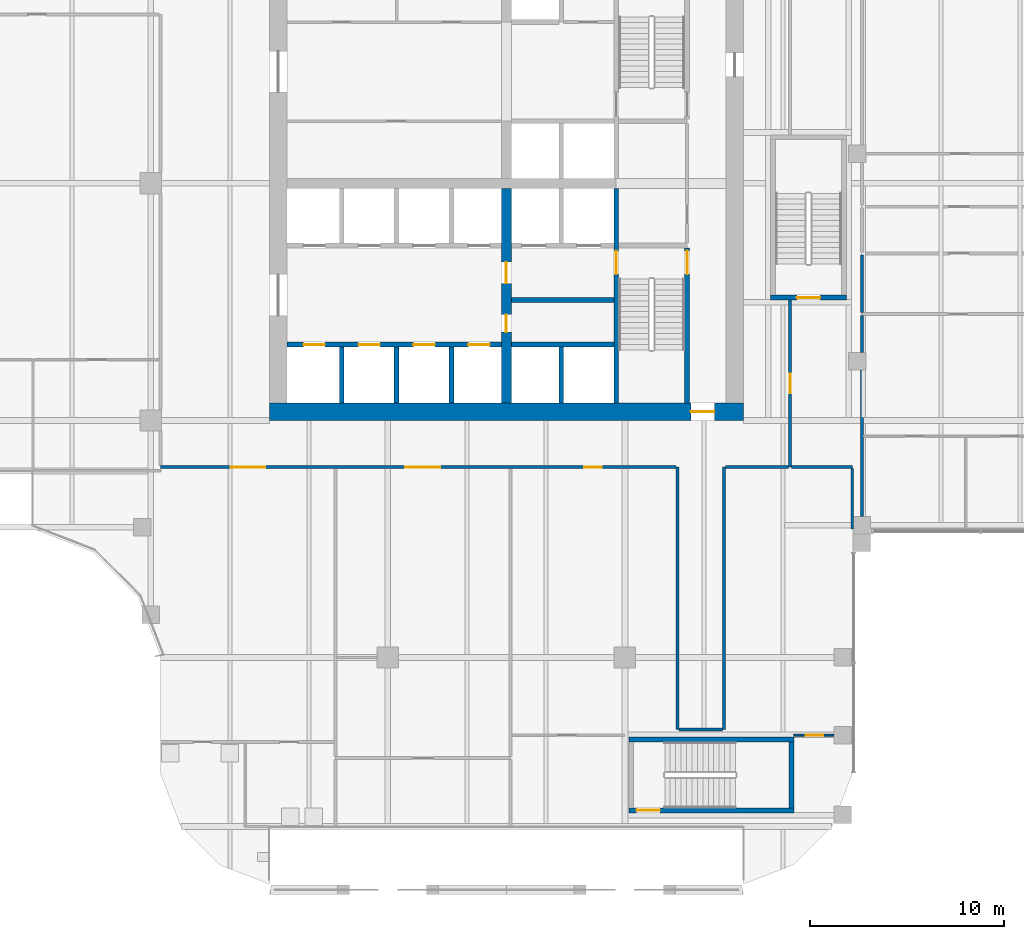
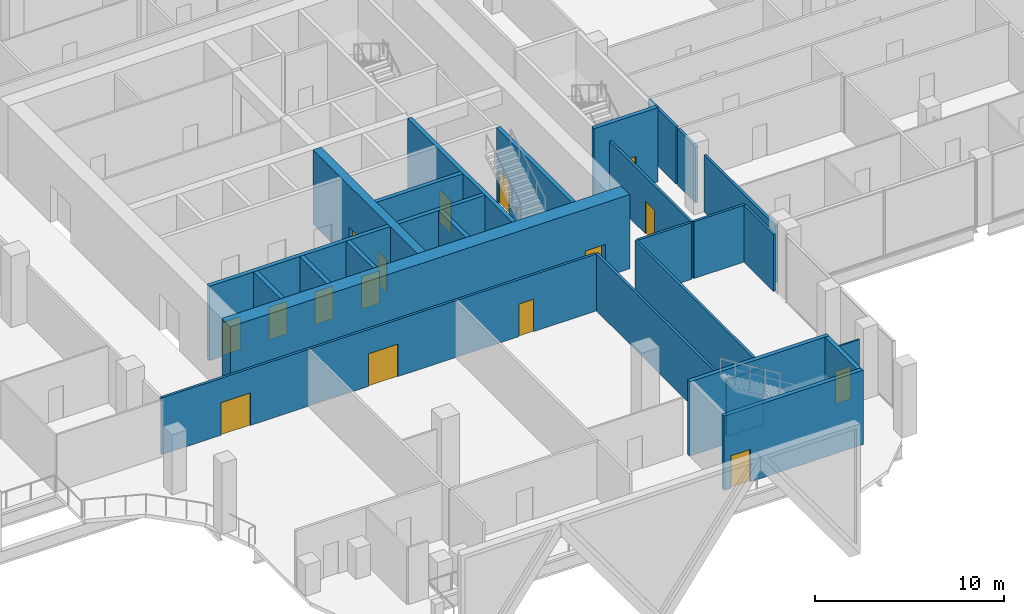
# One storey, part 22 of 33: 27 walls, 16 doors, 16 openings.
"""IFC4 building model written with IfcOpenShell, lengths in metres."""

from ifc_helpers import new_model, si_unit, direction, frame, frame_2d, origin, place, context, subcontext, project, spatial, rectangle, extrude, source, transform, mapped, material, layer, layer_set, type_object, element, fill, save


model = new_model("IFC4")

# Units and contexts
model_context = context("Model", 3, precision=1e-05, world=origin(), true_north=direction((0.0, 1.0)))
body_context = subcontext(model_context, "Body", "Model", "MODEL_VIEW")
ifc_project = project(units=[si_unit("LENGTHUNIT", "METRE"), si_unit("AREAUNIT", "SQUARE_METRE"), si_unit("VOLUMEUNIT", "CUBIC_METRE"), si_unit("PLANEANGLEUNIT", "RADIAN"), si_unit("MASSUNIT", "GRAM", prefix="KILO")], contexts=[model_context])

# Site, building, storey
site_placement = place(None, origin())
site = spatial("IfcSite", under=ifc_project, at=site_placement, CompositionType="ELEMENT")
building_placement = place(site_placement, origin())
building = spatial("IfcBuilding", under=site, at=building_placement, Name="Tessera Gate Towers", CompositionType="ELEMENT")
storey_placement = place(building_placement, frame((0.0, 0.0, 12.0)))
storey = spatial("IfcBuildingStorey", under=building, at=storey_placement, Name="L02", CompositionType="ELEMENT", Elevation=12.0)

# Wall, opening, door
ifc_material_1 = material(Name="Concrete C40/50", Category="concrete")
ifc_layer_1 = layer(ifc_material_1, 0.25)
ifc_layer_set_1 = layer_set([ifc_layer_1], Name="CORE ENCLOSURE WALL 250")
wall_type_1 = type_object("IfcWallType", Name="CORE ENCLOSURE WALL 250", PredefinedType="SOLIDWALL", material=ifc_layer_set_1)
wall_1_placement = place(storey_placement, frame((48.35009765625, 36.35009765625, 0.0), z_axis=(0.0, 0.0, 1.0), x_axis=(0.0, -1.0, 0.0)))
wall_1 = element("IfcWall", 1, at=wall_1_placement, inside=storey, type_object=wall_type_1, Name="L02 shaft and stair enclosure wall", PredefinedType="SOLIDWALL", context=body_context, shape_type="SweptSolid", body=[
    extrude(rectangle(XDim=11.050048828125, YDim=0.25, at=frame_2d((5.52490234375, 0.0))), origin(), (0.0, 0.0, 1.0), 4.800048828125),
])
shared_shape_1 = source(origin(), body_context, "Body", "SweptSolid", [
    extrude(rectangle(XDim=1.199951171875, YDim=2.10009765625, at=frame_2d((0.60009765625, 1.050048828125))), frame((0.0, 0.135009765625, 0.0), z_axis=(0.0, -1.0, 0.0), x_axis=(1.0, 0.0, 0.0)), (0.0, 0.0, 1.0), 0.27001953125),
])
opening_1_placement = place(wall_1_placement, frame((3.22509765625, 0.0, 0.0)))
opening_1 = element("IfcOpeningElement", 2, at=opening_1_placement, cuts=wall_1, Name="Opening SD-ST1-1", PredefinedType="OPENING", context=body_context, shape_type="MappedRepresentation", body=[
    mapped(shared_shape_1, transform((0.0, 0.0, 0.0), scale=1.0)),
])
ifc_material_2 = material(Name="Hollow steel fire door", Category="steel")
door_type_1 = type_object("IfcDoorType", Name="CORE DOOR SD 1200x2100", OperationType="NOTDEFINED", PredefinedType="DOOR", material=ifc_material_2)
shared_shape_2 = source(origin(), body_context, "Body", "SweptSolid", [
    extrude(rectangle(XDim=1.199951171875, YDim=2.10009765625, at=frame_2d((0.60009765625, 1.050048828125))), frame((0.0, 0.02490234375, 0.0), z_axis=(0.0, -1.0, 0.0), x_axis=(1.0, 0.0, 0.0)), (0.0, 0.0, 1.0), 0.050048828125),
])
door_1_placement = place(opening_1_placement, origin())
door_1 = element("IfcDoor", 3, at=door_1_placement, inside=storey, type_object=door_type_1, Name="Stair door", OperationType="SINGLE_SWING_LEFT", OverallHeight=2.10009765625, OverallWidth=1.199951171875, PredefinedType="DOOR", context=body_context, shape_type="MappedRepresentation", body=[
    mapped(shared_shape_2, transform((0.0, 0.0, 0.0), scale=1.0)),
])
fill(opening_1, door_1)

# Wall, openings, doors
wall_2_placement = place(storey_placement, frame((31.39990234375, 28.300048828125, 0.0), z_axis=(0.0, 0.0, 1.0), x_axis=(1.0, 0.0, 0.0)))
wall_2 = element("IfcWall", 4, at=wall_2_placement, inside=storey, type_object=wall_type_1, Name="L02 shaft and stair enclosure wall", PredefinedType="SOLIDWALL", context=body_context, shape_type="SweptSolid", body=[
    extrude(rectangle(XDim=11.050048828125, YDim=0.25, at=frame_2d((5.52490234375, 0.0))), origin(), (0.0, 0.0, 1.0), 4.800048828125),
])
shared_shape_3 = source(origin(), body_context, "Body", "SweptSolid", [
    extrude(rectangle(XDim=1.10009765625, YDim=2.10009765625, at=frame_2d((0.550048828125, 1.050048828125))), frame((0.0, 0.135009765625, 0.0), z_axis=(0.0, -1.0, 0.0), x_axis=(1.0, 0.0, 0.0)), (0.0, 0.0, 1.0), 0.27001953125),
])
opening_2_placement = place(wall_2_placement, frame((0.862548828125, 0.0, 0.0)))
opening_2 = element("IfcOpeningElement", 5, at=opening_2_placement, cuts=wall_2, Name="Opening LD-LR1", PredefinedType="OPENING", context=body_context, shape_type="MappedRepresentation", body=[
    mapped(shared_shape_3, transform((0.0, 0.0, 0.0), scale=1.0)),
])
opening_3_placement = place(wall_2_placement, frame((3.6875, 0.0, 0.0)))
opening_3 = element("IfcOpeningElement", 6, at=opening_3_placement, cuts=wall_2, Name="Opening LD-LR2", PredefinedType="OPENING", context=body_context, shape_type="MappedRepresentation", body=[
    mapped(shared_shape_3, transform((0.0, 0.0, 0.0), scale=1.0)),
])
opening_4_placement = place(wall_2_placement, frame((6.512451171875, 0.0, 0.0)))
opening_4 = element("IfcOpeningElement", 7, at=opening_4_placement, cuts=wall_2, Name="Opening LD-LR3", PredefinedType="OPENING", context=body_context, shape_type="MappedRepresentation", body=[
    mapped(shared_shape_3, transform((0.0, 0.0, 0.0), scale=1.0)),
])
opening_5_placement = place(wall_2_placement, frame((9.33740234375, 0.0, 0.0)))
opening_5 = element("IfcOpeningElement", 8, at=opening_5_placement, cuts=wall_2, Name="Opening LD-LR4", PredefinedType="OPENING", context=body_context, shape_type="MappedRepresentation", body=[
    mapped(shared_shape_3, transform((0.0, 0.0, 0.0), scale=1.0)),
])
ifc_material_3 = material(Name="Stainless steel", Category="steel")
door_type_2 = type_object("IfcDoorType", Name="CORE DOOR LD 1100x2100", OperationType="DOUBLE_DOOR_SLIDING", PredefinedType="DOOR", material=ifc_material_3)
shared_shape_4 = source(origin(), body_context, "Body", "SweptSolid", [
    extrude(rectangle(XDim=1.10009765625, YDim=2.10009765625, at=frame_2d((0.550048828125, 1.050048828125))), frame((0.0, 0.02490234375, 0.0), z_axis=(0.0, -1.0, 0.0), x_axis=(1.0, 0.0, 0.0)), (0.0, 0.0, 1.0), 0.050048828125),
])
door_2_placement = place(opening_2_placement, origin())
door_2 = element("IfcDoor", 9, at=door_2_placement, inside=storey, type_object=door_type_2, Name="Landing door LR1 L02", OperationType="DOUBLE_DOOR_SLIDING", OverallHeight=2.10009765625, OverallWidth=1.10009765625, PredefinedType="DOOR", context=body_context, shape_type="MappedRepresentation", body=[
    mapped(shared_shape_4, transform((0.0, 0.0, 0.0), scale=1.0)),
])
fill(opening_2, door_2)
door_3_placement = place(opening_3_placement, origin())
door_3 = element("IfcDoor", 10, at=door_3_placement, inside=storey, type_object=door_type_2, Name="Landing door LR2 L02", OperationType="DOUBLE_DOOR_SLIDING", OverallHeight=2.10009765625, OverallWidth=1.10009765625, PredefinedType="DOOR", context=body_context, shape_type="MappedRepresentation", body=[
    mapped(shared_shape_4, transform((0.0, 0.0, 0.0), scale=1.0)),
])
fill(opening_3, door_3)
door_4_placement = place(opening_4_placement, origin())
door_4 = element("IfcDoor", 11, at=door_4_placement, inside=storey, type_object=door_type_2, Name="Landing door LR3 L02", OperationType="DOUBLE_DOOR_SLIDING", OverallHeight=2.10009765625, OverallWidth=1.10009765625, PredefinedType="DOOR", context=body_context, shape_type="MappedRepresentation", body=[
    mapped(shared_shape_4, transform((0.0, 0.0, 0.0), scale=1.0)),
])
fill(opening_4, door_4)
door_5_placement = place(opening_5_placement, origin())
door_5 = element("IfcDoor", 12, at=door_5_placement, inside=storey, type_object=door_type_2, Name="Landing door LR4 L02", OperationType="DOUBLE_DOOR_SLIDING", OverallHeight=2.10009765625, OverallWidth=1.10009765625, PredefinedType="DOOR", context=body_context, shape_type="MappedRepresentation", body=[
    mapped(shared_shape_4, transform((0.0, 0.0, 0.0), scale=1.0)),
])
fill(opening_5, door_5)

# Wall
wall_3_placement = place(storey_placement, frame((42.949951171875, 28.300048828125, 0.0), z_axis=(0.0, 0.0, 1.0), x_axis=(1.0, 0.0, 0.0)))
element("IfcWall", 13, at=wall_3_placement, inside=storey, type_object=wall_type_1, Name="L02 shaft and stair enclosure wall", PredefinedType="SOLIDWALL", context=body_context, shape_type="SweptSolid", body=[
    extrude(rectangle(XDim=5.275146484375, YDim=0.25, at=frame_2d((2.6376953125, 0.0))), origin(), (0.0, 0.0, 1.0), 4.800048828125),
])

# Wall, opening, door
wall_4_placement = place(storey_placement, frame((52.0, 25.300048828125, 0.0), z_axis=(0.0, 0.0, 1.0), x_axis=(0.0, 1.0, 0.0)))
wall_4 = element("IfcWall", 14, at=wall_4_placement, inside=storey, type_object=wall_type_1, Name="L02 shaft and stair enclosure wall", PredefinedType="SOLIDWALL", context=body_context, shape_type="SweptSolid", body=[
    extrude(rectangle(XDim=7.974853515625, YDim=0.25, at=frame_2d((3.9873046875, 0.0))), origin(), (0.0, 0.0, 1.0), 4.800048828125),
])
opening_6_placement = place(wall_4_placement, frame((6.625, 0.0, 0.0)))
opening_6 = element("IfcOpeningElement", 15, at=opening_6_placement, cuts=wall_4, Name="Opening SD-ST1-2", PredefinedType="OPENING", context=body_context, shape_type="MappedRepresentation", body=[
    mapped(shared_shape_1, transform((0.0, 0.0, 0.0), scale=1.0)),
])
door_6_placement = place(opening_6_placement, origin())
door_6 = element("IfcDoor", 16, at=door_6_placement, inside=storey, type_object=door_type_1, Name="Stair door", OperationType="SINGLE_SWING_RIGHT", OverallHeight=2.10009765625, OverallWidth=1.199951171875, PredefinedType="DOOR", context=body_context, shape_type="MappedRepresentation", body=[
    mapped(shared_shape_2, transform((0.0, 0.0, 0.0), scale=1.0)),
])
fill(opening_6, door_6)

# Walls
wall_5_placement = place(storey_placement, frame((42.949951171875, 30.60009765625, 0.0), z_axis=(0.0, 0.0, 1.0), x_axis=(1.0, 0.0, 0.0)))
element("IfcWall", 17, at=wall_5_placement, inside=storey, type_object=wall_type_1, Name="L02 shaft and stair enclosure wall", PredefinedType="SOLIDWALL", context=body_context, shape_type="SweptSolid", body=[
    extrude(rectangle(XDim=5.275146484375, YDim=0.25, at=frame_2d((2.6376953125, 0.0))), origin(), (0.0, 0.0, 1.0), 4.800048828125),
])
for number, where, z_axis, x_axis, name in (
    (18, (34.22509765625, 25.300048828125, 0.0), (0.0, 0.0, 1.0), (0.0, 1.0, 0.0), "L02 shaft and stair enclosure wall"),
    (19, (37.050048828125, 25.300048828125, 0.0), (0.0, 0.0, 1.0), (0.0, 1.0, 0.0), "L02 shaft and stair enclosure wall"),
    (20, (39.875, 25.300048828125, 0.0), (0.0, 0.0, 1.0), (0.0, 1.0, 0.0), "L02 shaft and stair enclosure wall"),
    (21, (45.52490234375, 25.300048828125, 0.0), (0.0, 0.0, 1.0), (0.0, 1.0, 0.0), "L02 shaft and stair enclosure wall"),
):
    element("IfcWall", number, at=place(storey_placement, frame(where, z_axis=z_axis, x_axis=x_axis)), inside=storey, type_object=wall_type_1, Name=name, PredefinedType="SOLIDWALL", context=body_context, shape_type="SweptSolid", body=[
        extrude(rectangle(XDim=2.875, YDim=0.25, at=frame_2d((1.4375, 0.0))), origin(), (0.0, 0.0, 1.0), 4.800048828125),
    ])

# Wall, opening, door
wall_6_placement = place(storey_placement, frame((57.5, 4.324951171875, 0.0), z_axis=(0.0, 0.0, 1.0), x_axis=(-1.0, 0.0, 0.0)))
wall_6 = element("IfcWall", 22, at=wall_6_placement, inside=storey, type_object=wall_type_1, Name="L02 ST4 enclosure wall", PredefinedType="SOLIDWALL", context=body_context, shape_type="SweptSolid", body=[
    extrude(rectangle(XDim=8.5, YDim=0.25, at=frame_2d((4.25, 0.0))), origin(), (0.0, 0.0, 1.0), 4.800048828125),
])
opening_7_placement = place(wall_6_placement, frame((6.89990234375, 0.0, 0.0)))
opening_7 = element("IfcOpeningElement", 23, at=opening_7_placement, cuts=wall_6, Name="Opening SD-ST4-1", PredefinedType="OPENING", context=body_context, shape_type="MappedRepresentation", body=[
    mapped(shared_shape_1, transform((0.0, 0.0, 0.0), scale=1.0)),
])
door_7_placement = place(opening_7_placement, origin())
door_7 = element("IfcDoor", 24, at=door_7_placement, inside=storey, type_object=door_type_1, Name="Stair door", OperationType="SINGLE_SWING_RIGHT", OverallHeight=2.10009765625, OverallWidth=1.199951171875, PredefinedType="DOOR", context=body_context, shape_type="MappedRepresentation", body=[
    mapped(shared_shape_2, transform((0.0, 0.0, 0.0), scale=1.0)),
])
fill(opening_7, door_7)

# Walls
wall_7_placement = place(storey_placement, frame((49.0, 7.97509765625, 0.0), z_axis=(0.0, 0.0, 1.0), x_axis=(1.0, 0.0, 0.0)))
element("IfcWall", 25, at=wall_7_placement, inside=storey, type_object=wall_type_1, Name="L02 ST4 enclosure wall", PredefinedType="SOLIDWALL", context=body_context, shape_type="SweptSolid", body=[
    extrude(rectangle(XDim=8.5, YDim=0.25, at=frame_2d((4.25, 0.0))), origin(), (0.0, 0.0, 1.0), 4.800048828125),
])
wall_8_placement = place(storey_placement, frame((57.375, 7.85009765625, 0.0), z_axis=(0.0, 0.0, 1.0), x_axis=(0.0, -1.0, 0.0)))
element("IfcWall", 26, at=wall_8_placement, inside=storey, type_object=wall_type_1, Name="L02 ST4 enclosure wall", PredefinedType="SOLIDWALL", context=body_context, shape_type="SweptSolid", body=[
    extrude(rectangle(XDim=3.400146484375, YDim=0.25, at=frame_2d((1.7001953125, 0.0))), origin(), (0.0, 0.0, 1.0), 4.800048828125),
])

# Wall, opening, door
wall_9_placement = place(storey_placement, frame((60.199951171875, 30.72509765625, 0.0), z_axis=(0.0, 0.0, 1.0), x_axis=(-1.0, 0.0, 0.0)))
wall_9 = element("IfcWall", 27, at=wall_9_placement, inside=storey, type_object=wall_type_1, Name="L02 ST5 enclosure wall", PredefinedType="SOLIDWALL", context=body_context, shape_type="SweptSolid", body=[
    extrude(rectangle(XDim=3.89990234375, YDim=0.25, at=frame_2d((1.949951171875, 0.0))), origin(), (0.0, 0.0, 1.0), 4.800048828125),
])
opening_8_placement = place(wall_9_placement, frame((1.35009765625, 0.0, 0.0)))
opening_8 = element("IfcOpeningElement", 28, at=opening_8_placement, cuts=wall_9, Name="Opening SD-ST5-1", PredefinedType="OPENING", context=body_context, shape_type="MappedRepresentation", body=[
    mapped(shared_shape_1, transform((0.0, 0.0, 0.0), scale=1.0)),
])
door_8_placement = place(opening_8_placement, origin())
door_8 = element("IfcDoor", 29, at=door_8_placement, inside=storey, type_object=door_type_1, Name="Stair door", OperationType="SINGLE_SWING_LEFT", OverallHeight=2.10009765625, OverallWidth=1.199951171875, PredefinedType="DOOR", context=body_context, shape_type="MappedRepresentation", body=[
    mapped(shared_shape_2, transform((0.0, 0.0, 0.0), scale=1.0)),
])
fill(opening_8, door_8)

ifc_material_4 = material(Name="Concrete C70/85", Category="concrete")
ifc_layer_2 = layer(ifc_material_4, 0.89990234375)
ifc_layer_set_2 = layer_set([ifc_layer_2], Name="CORE SHEAR WALL 900 C70/85")
wall_type_2 = type_object("IfcWallType", Name="CORE SHEAR WALL 900 C70/85", PredefinedType="SHEAR", material=ifc_layer_set_2)
wall_10_placement = place(storey_placement, frame((54.89990234375, 24.85009765625, 0.0), z_axis=(0.0, 0.0, 1.0), x_axis=(-1.0, 0.0, 0.0)))
wall_10 = element("IfcWall", 30, at=wall_10_placement, inside=storey, type_object=wall_type_2, Name="Core wall S L02", PredefinedType="SHEAR", context=body_context, shape_type="SweptSolid", body=[
    extrude(rectangle(XDim=24.39990234375, YDim=0.89990234375, at=frame_2d((12.199951171875, 0.0))), origin(), (0.0, 0.0, 1.0), 4.800048828125),
])
shared_shape_5 = source(origin(), body_context, "Body", "SweptSolid", [
    extrude(rectangle(XDim=1.199951171875, YDim=2.10009765625, at=frame_2d((0.60009765625, 1.050048828125))), frame((0.0, 0.4599609375, 0.0), z_axis=(0.0, -1.0, 0.0), x_axis=(1.0, 0.0, 0.0)), (0.0, 0.0, 1.0), 0.919921875),
])
opening_9_placement = place(wall_10_placement, frame((1.5, 0.0, 0.0)))
opening_9 = element("IfcOpeningElement", 31, at=opening_9_placement, cuts=wall_10, Name="Opening ED-T1-04-01", PredefinedType="OPENING", context=body_context, shape_type="MappedRepresentation", body=[
    mapped(shared_shape_5, transform((0.0, 0.0, 0.0), scale=1.0)),
])
ifc_material_5 = material(Name="Hollow steel fire door", Category="steel")
door_type_3 = type_object("IfcDoorType", Name="CORE DOOR ED 1200x2100", OperationType="NOTDEFINED", PredefinedType="DOOR", material=ifc_material_5)
door_9_placement = place(opening_9_placement, origin())
door_9 = element("IfcDoor", 32, at=door_9_placement, inside=storey, type_object=door_type_3, Name="Core exit door", OperationType="SINGLE_SWING_LEFT", OverallHeight=2.10009765625, OverallWidth=1.199951171875, PredefinedType="DOOR", context=body_context, shape_type="MappedRepresentation", body=[
    mapped(shared_shape_2, transform((0.0, 0.0, 0.0), scale=1.0)),
])
fill(opening_9, door_9)

# Wall, openings, doors
ifc_material_6 = material(Name="Concrete C70/85", Category="concrete")
ifc_layer_3 = layer(ifc_material_6, 0.5)
ifc_layer_set_3 = layer_set([ifc_layer_3], Name="CORE SPINE WALL 500 C70/85")
wall_type_3 = type_object("IfcWallType", Name="CORE SPINE WALL 500 C70/85", PredefinedType="SHEAR", material=ifc_layer_set_3)
wall_11_placement = place(storey_placement, frame((42.699951171875, 36.35009765625, 0.0), z_axis=(0.0, 0.0, 1.0), x_axis=(0.0, -1.0, 0.0)))
wall_11 = element("IfcWall", 33, at=wall_11_placement, inside=storey, type_object=wall_type_3, Name="Core wall spine L02", PredefinedType="SHEAR", context=body_context, shape_type="SweptSolid", body=[
    extrude(rectangle(XDim=11.050048828125, YDim=0.5, at=frame_2d((5.52490234375, 0.0))), origin(), (0.0, 0.0, 1.0), 4.800048828125),
])
shared_shape_6 = source(origin(), body_context, "Body", "SweptSolid", [
    extrude(rectangle(XDim=0.89990234375, YDim=2.10009765625, at=frame_2d((0.449951171875, 1.050048828125))), frame((0.0, 0.260009765625, 0.0), z_axis=(0.0, -1.0, 0.0), x_axis=(1.0, 0.0, 0.0)), (0.0, 0.0, 1.0), 0.52001953125),
])
opening_10_placement = place(wall_11_placement, frame((6.5, 0.0, 0.0)))
opening_10 = element("IfcOpeningElement", 34, at=opening_10_placement, cuts=wall_11, Name="Opening RD-T1-04-05", PredefinedType="OPENING", context=body_context, shape_type="MappedRepresentation", body=[
    mapped(shared_shape_6, transform((0.0, 0.0, 0.0), scale=1.0)),
])
shared_shape_7 = source(origin(), body_context, "Body", "SweptSolid", [
    extrude(rectangle(XDim=1.10009765625, YDim=2.10009765625, at=frame_2d((0.550048828125, 1.050048828125))), frame((0.0, 0.260009765625, 0.0), z_axis=(0.0, -1.0, 0.0), x_axis=(1.0, 0.0, 0.0)), (0.0, 0.0, 1.0), 0.52001953125),
])
opening_11_placement = place(wall_11_placement, frame((3.800048828125, 0.0, 0.0)))
opening_11 = element("IfcOpeningElement", 35, at=opening_11_placement, cuts=wall_11, Name="Opening FD-T1-04-06", PredefinedType="OPENING", context=body_context, shape_type="MappedRepresentation", body=[
    mapped(shared_shape_7, transform((0.0, 0.0, 0.0), scale=1.0)),
])
ifc_material_7 = material(Name="Hollow steel fire door", Category="steel")
door_type_4 = type_object("IfcDoorType", Name="CORE DOOR RD 900x2100", OperationType="NOTDEFINED", PredefinedType="DOOR", material=ifc_material_7)
shared_shape_8 = source(origin(), body_context, "Body", "SweptSolid", [
    extrude(rectangle(XDim=0.89990234375, YDim=2.10009765625, at=frame_2d((0.449951171875, 1.050048828125))), frame((0.0, 0.02490234375, 0.0), z_axis=(0.0, -1.0, 0.0), x_axis=(1.0, 0.0, 0.0)), (0.0, 0.0, 1.0), 0.050048828125),
])
door_10_placement = place(opening_10_placement, origin())
door_10 = element("IfcDoor", 36, at=door_10_placement, inside=storey, type_object=door_type_4, Name="Core room door", OperationType="SINGLE_SWING_RIGHT", OverallHeight=2.10009765625, OverallWidth=0.89990234375, PredefinedType="DOOR", context=body_context, shape_type="MappedRepresentation", body=[
    mapped(shared_shape_8, transform((0.0, 0.0, 0.0), scale=1.0)),
])
fill(opening_10, door_10)
ifc_material_8 = material(Name="Hollow steel fire door", Category="steel")
door_type_5 = type_object("IfcDoorType", Name="CORE DOOR FD 1100x2100", OperationType="NOTDEFINED", PredefinedType="DOOR", material=ifc_material_8)
door_11_placement = place(opening_11_placement, origin())
door_11 = element("IfcDoor", 37, at=door_11_placement, inside=storey, type_object=door_type_5, Name="Fire-fighting lobby door", OperationType="SINGLE_SWING_LEFT", OverallHeight=2.10009765625, OverallWidth=1.10009765625, PredefinedType="DOOR", context=body_context, shape_type="MappedRepresentation", body=[
    mapped(shared_shape_4, transform((0.0, 0.0, 0.0), scale=1.0)),
])
fill(opening_11, door_11)

# Walls
ifc_material_9 = material(Name="Gypsum board on steel studs, mineral wool", Category="steel")
ifc_layer_4 = layer(ifc_material_9, 0.14990234375)
ifc_layer_set_4 = layer_set([ifc_layer_4], Name="CORRIDOR WALL 150")
wall_type_4 = type_object("IfcWallType", Name="CORRIDOR WALL 150", PredefinedType="PARTITIONING", material=ifc_layer_set_4)
wall_12_placement = place(storey_placement, frame((51.5, 8.5, 0.0), z_axis=(0.0, 0.0, 1.0), x_axis=(0.0, 1.0, 0.0)))
element("IfcWall", 38, at=wall_12_placement, inside=storey, type_object=wall_type_4, Name="PODIUM-L02-PW-011", PredefinedType="PARTITIONING", context=body_context, shape_type="SweptSolid", body=[
    extrude(rectangle(XDim=13.5, YDim=0.14990234375, at=frame_2d((6.75, 0.0))), origin(), (0.0, 0.0, 1.0), 3.672119140625),
])
wall_13_placement = place(storey_placement, frame((51.575927734375, 8.5, 0.0), z_axis=(0.0, 0.0, 1.0), x_axis=(1.0, 0.0, 0.0)))
element("IfcWall", 39, at=wall_13_placement, inside=storey, type_object=wall_type_4, Name="PODIUM-L02-PW-012", PredefinedType="PARTITIONING", context=body_context, shape_type="SweptSolid", body=[
    extrude(rectangle(XDim=2.248046875, YDim=0.14990234375, at=frame_2d((1.1240234375, 0.0))), origin(), (0.0, 0.0, 1.0), 3.672119140625),
])
wall_14_placement = place(storey_placement, frame((53.89990234375, 8.5, 0.0), z_axis=(0.0, 0.0, 1.0), x_axis=(0.0, 1.0, 0.0)))
element("IfcWall", 40, at=wall_14_placement, inside=storey, type_object=wall_type_4, Name="PODIUM-L02-PW-013", PredefinedType="PARTITIONING", context=body_context, shape_type="SweptSolid", body=[
    extrude(rectangle(XDim=13.5, YDim=0.14990234375, at=frame_2d((6.75, 0.0))), origin(), (0.0, 0.0, 1.0), 3.672119140625),
])

# Wall, openings, doors
wall_15_placement = place(storey_placement, frame((51.424072265625, 22.0, 0.0), z_axis=(0.0, 0.0, 1.0), x_axis=(-1.0, 0.0, 0.0)))
wall_15 = element("IfcWall", 41, at=wall_15_placement, inside=storey, type_object=wall_type_4, Name="PODIUM-L02-PW-034", PredefinedType="PARTITIONING", context=body_context, shape_type="SweptSolid", body=[
    extrude(rectangle(XDim=26.524169921875, YDim=0.14990234375, at=frame_2d((13.26220703125, 0.0))), origin(), (0.0, 0.0, 1.0), 3.672119140625),
])
shared_shape_9 = source(origin(), body_context, "Body", "SweptSolid", [
    extrude(rectangle(XDim=1.800048828125, YDim=2.10009765625, at=frame_2d((0.89990234375, 1.050048828125))), frame((0.0, 0.0849609375, 0.0), z_axis=(0.0, -1.0, 0.0), x_axis=(1.0, 0.0, 0.0)), (0.0, 0.0, 1.0), 0.169921875),
])
opening_12_placement = place(wall_15_placement, frame((12.123046875, 0.0, 0.0)))
opening_12 = element("IfcOpeningElement", 42, at=opening_12_placement, cuts=wall_15, Name="Opening D2180FD60-P03-01", PredefinedType="OPENING", context=body_context, shape_type="MappedRepresentation", body=[
    mapped(shared_shape_9, transform((0.0, 0.0, 0.0), scale=1.0)),
])
opening_13_placement = place(wall_15_placement, frame((21.1240234375, 0.0, 0.0)))
opening_13 = element("IfcOpeningElement", 43, at=opening_13_placement, cuts=wall_15, Name="Opening D2180FD60-P03-02", PredefinedType="OPENING", context=body_context, shape_type="MappedRepresentation", body=[
    mapped(shared_shape_9, transform((0.0, 0.0, 0.0), scale=1.0)),
])
shared_shape_10 = source(origin(), body_context, "Body", "SweptSolid", [
    extrude(rectangle(XDim=0.89990234375, YDim=2.10009765625, at=frame_2d((0.449951171875, 1.050048828125))), frame((0.0, 0.0849609375, 0.0), z_axis=(0.0, -1.0, 0.0), x_axis=(1.0, 0.0, 0.0)), (0.0, 0.0, 1.0), 0.169921875),
])
opening_14_placement = place(wall_15_placement, frame((3.822998046875, 0.0, 0.0)))
opening_14 = element("IfcOpeningElement", 44, at=opening_14_placement, cuts=wall_15, Name="Opening D890FD60-P03-08", PredefinedType="OPENING", context=body_context, shape_type="MappedRepresentation", body=[
    mapped(shared_shape_10, transform((0.0, 0.0, 0.0), scale=1.0)),
])
ifc_material_10 = material(Name="Timber door leaf in steel frame", Category="steel")
door_type_6 = type_object("IfcDoorType", Name="CORRIDOR DOOR 900 FD60", OperationType="NOTDEFINED", PredefinedType="DOOR", material=ifc_material_10)
door_12_placement = place(opening_14_placement, origin())
door_12 = element("IfcDoor", 45, at=door_12_placement, inside=storey, type_object=door_type_6, Name="PODIUM-L02-PD-055", OperationType="SINGLE_SWING_RIGHT", OverallHeight=2.10009765625, OverallWidth=0.89990234375, PredefinedType="DOOR", context=body_context, shape_type="MappedRepresentation", body=[
    mapped(shared_shape_8, transform((0.0, 0.0, 0.0), scale=1.0)),
])
fill(opening_14, door_12)
ifc_material_11 = material(Name="Timber door leaf in steel frame", Category="steel")
door_type_7 = type_object("IfcDoorType", Name="TENANCY ENTRANCE DOUBLE DOOR 1800 FD60", OperationType="NOTDEFINED", PredefinedType="DOOR", material=ifc_material_11)
shared_shape_11 = source(origin(), body_context, "Body", "SweptSolid", [
    extrude(rectangle(XDim=1.800048828125, YDim=2.10009765625, at=frame_2d((0.89990234375, 1.050048828125))), frame((0.0, 0.02490234375, 0.0), z_axis=(0.0, -1.0, 0.0), x_axis=(1.0, 0.0, 0.0)), (0.0, 0.0, 1.0), 0.050048828125),
])
door_13_placement = place(opening_12_placement, origin())
door_13 = element("IfcDoor", 46, at=door_13_placement, inside=storey, type_object=door_type_7, Name="PODIUM-L02-PD-039", OperationType="DOUBLE_DOOR_SINGLE_SWING", OverallHeight=2.10009765625, OverallWidth=1.800048828125, PredefinedType="DOOR", context=body_context, shape_type="MappedRepresentation", body=[
    mapped(shared_shape_11, transform((0.0, 0.0, 0.0), scale=1.0)),
])
fill(opening_12, door_13)
door_14_placement = place(opening_13_placement, origin())
door_14 = element("IfcDoor", 47, at=door_14_placement, inside=storey, type_object=door_type_7, Name="PODIUM-L02-PD-040", OperationType="DOUBLE_DOOR_SINGLE_SWING", OverallHeight=2.10009765625, OverallWidth=1.800048828125, PredefinedType="DOOR", context=body_context, shape_type="MappedRepresentation", body=[
    mapped(shared_shape_11, transform((0.0, 0.0, 0.0), scale=1.0)),
])
fill(opening_13, door_14)

# Wall
wall_16_placement = place(storey_placement, frame((53.97607421875, 22.0, 0.0), z_axis=(0.0, 0.0, 1.0), x_axis=(1.0, 0.0, 0.0)))
element("IfcWall", 48, at=wall_16_placement, inside=storey, type_object=wall_type_4, Name="PODIUM-L02-PW-035", PredefinedType="PARTITIONING", context=body_context, shape_type="SweptSolid", body=[
    extrude(rectangle(XDim=3.248046875, YDim=0.14990234375, at=frame_2d((1.6240234375, 0.0))), origin(), (0.0, 0.0, 1.0), 3.672119140625),
])

# Wall, opening, door
wall_17_placement = place(storey_placement, frame((57.300048828125, 30.60009765625, 0.0), z_axis=(0.0, 0.0, 1.0), x_axis=(0.0, -1.0, 0.0)))
wall_17 = element("IfcWall", 49, at=wall_17_placement, inside=storey, type_object=wall_type_4, Name="PODIUM-L02-PW-036", PredefinedType="PARTITIONING", context=body_context, shape_type="SweptSolid", body=[
    extrude(rectangle(XDim=8.60009765625, YDim=0.14990234375, at=frame_2d((4.300048828125, 0.0))), origin(), (0.0, 0.0, 1.0), 3.672119140625),
])
shared_shape_12 = source(origin(), body_context, "Body", "SweptSolid", [
    extrude(rectangle(XDim=1.0, YDim=2.10009765625, at=frame_2d((0.5, 1.050048828125))), frame((0.0, 0.0849609375, 0.0), z_axis=(0.0, -1.0, 0.0), x_axis=(1.0, 0.0, 0.0)), (0.0, 0.0, 1.0), 0.169921875),
])
opening_15_placement = place(wall_17_placement, frame((3.800048828125, 0.0, 0.0)))
opening_15 = element("IfcOpeningElement", 50, at=opening_15_placement, cuts=wall_17, Name="Opening D2100FD60-P03-09", PredefinedType="OPENING", context=body_context, shape_type="MappedRepresentation", body=[
    mapped(shared_shape_12, transform((0.0, 0.0, 0.0), scale=1.0)),
])
ifc_material_12 = material(Name="Timber door leaf in steel frame", Category="steel")
door_type_8 = type_object("IfcDoorType", Name="TENANCY ENTRANCE DOOR 1000 FD60", OperationType="NOTDEFINED", PredefinedType="DOOR", material=ifc_material_12)
shared_shape_13 = source(origin(), body_context, "Body", "SweptSolid", [
    extrude(rectangle(XDim=1.0, YDim=2.10009765625, at=frame_2d((0.5, 1.050048828125))), frame((0.0, 0.02490234375, 0.0), z_axis=(0.0, -1.0, 0.0), x_axis=(1.0, 0.0, 0.0)), (0.0, 0.0, 1.0), 0.050048828125),
])
door_15_placement = place(opening_15_placement, origin())
door_15 = element("IfcDoor", 51, at=door_15_placement, inside=storey, type_object=door_type_8, Name="PODIUM-L02-PD-059", OperationType="SINGLE_SWING_RIGHT", OverallHeight=2.10009765625, OverallWidth=1.0, PredefinedType="DOOR", context=body_context, shape_type="MappedRepresentation", body=[
    mapped(shared_shape_13, transform((0.0, 0.0, 0.0), scale=1.0)),
])
fill(opening_15, door_15)

ifc_material_13 = material(Name="Gypsum board on steel studs", Category="steel")
ifc_layer_5 = layer(ifc_material_13, 0.10009765625)
ifc_layer_set_5 = layer_set([ifc_layer_5], Name="PARTITION 100")
wall_type_5 = type_object("IfcWallType", Name="PARTITION 100", PredefinedType="PARTITIONING", material=ifc_layer_set_5)
wall_18_placement = place(storey_placement, frame((59.549072265625, 8.199951171875, 0.0), z_axis=(0.0, 0.0, 1.0), x_axis=(-1.0, 0.0, 0.0)))
wall_18 = element("IfcWall", 52, at=wall_18_placement, inside=storey, type_object=wall_type_5, Name="PODIUM-L02-PW-010", PredefinedType="PARTITIONING", context=body_context, shape_type="SweptSolid", body=[
    extrude(rectangle(XDim=2.049072265625, YDim=0.10009765625, at=frame_2d((1.0244140625, 0.0))), origin(), (0.0, 0.0, 1.0), 3.672119140625),
])
shared_shape_14 = source(origin(), body_context, "Body", "SweptSolid", [
    extrude(rectangle(XDim=0.89990234375, YDim=2.10009765625, at=frame_2d((0.449951171875, 1.050048828125))), frame((0.0, 0.06005859375, 0.0), z_axis=(0.0, -1.0, 0.0), x_axis=(1.0, 0.0, 0.0)), (0.0, 0.0, 1.0), 0.1201171875),
])
opening_16_placement = place(wall_18_placement, frame((0.549072265625, 0.0, 0.0)))
opening_16 = element("IfcOpeningElement", 53, at=opening_16_placement, cuts=wall_18, Name="Opening D190-P03-01", PredefinedType="OPENING", context=body_context, shape_type="MappedRepresentation", body=[
    mapped(shared_shape_14, transform((0.0, 0.0, 0.0), scale=1.0)),
])
ifc_material_14 = material(Name="Timber door leaf in steel frame", Category="steel")
door_type_9 = type_object("IfcDoorType", Name="INTERNAL DOOR 900 NOT RATED", OperationType="NOTDEFINED", PredefinedType="DOOR", material=ifc_material_14)
door_16_placement = place(opening_16_placement, origin())
door_16 = element("IfcDoor", 54, at=door_16_placement, inside=storey, type_object=door_type_9, Name="PODIUM-L02-PD-001", OperationType="SINGLE_SWING_RIGHT", OverallHeight=2.10009765625, OverallWidth=0.89990234375, PredefinedType="DOOR", context=body_context, shape_type="MappedRepresentation", body=[
    mapped(shared_shape_8, transform((0.0, 0.0, 0.0), scale=1.0)),
])
fill(opening_16, door_16)

# Walls
ifc_material_15 = material(Name="Gypsum board on steel studs, mineral wool", Category="steel")
ifc_layer_6 = layer(ifc_material_15, 0.14990234375)
ifc_layer_set_6 = layer_set([ifc_layer_6], Name="TENANCY WALL 150")
wall_type_6 = type_object("IfcWallType", Name="TENANCY WALL 150", PredefinedType="PARTITIONING", material=ifc_layer_set_6)
wall_19_placement = place(storey_placement, frame((60.5, 18.800048828125, 0.0), z_axis=(0.0, 0.0, 1.0), x_axis=(0.0, 1.0, 0.0)))
element("IfcWall", 55, at=wall_19_placement, inside=storey, type_object=wall_type_6, Name="PODIUM-L02-PW-015", PredefinedType="PARTITIONING", context=body_context, shape_type="SweptSolid", body=[
    extrude(rectangle(XDim=3.1240234375, YDim=0.14990234375, at=frame_2d((1.56201171875, 0.0))), origin(), (0.0, 0.0, 1.0), 3.672119140625),
])
wall_20_placement = place(storey_placement, frame((61.0, 19.450927734375, 0.0), z_axis=(0.0, 0.0, 1.0), x_axis=(0.0, 1.0, 0.0)))
element("IfcWall", 56, at=wall_20_placement, inside=storey, type_object=wall_type_6, Name="PODIUM-L02-PW-029", PredefinedType="PARTITIONING", context=body_context, shape_type="SweptSolid", body=[
    extrude(rectangle(XDim=7.548095703125, YDim=0.14990234375, at=frame_2d((3.77392578125, 0.0))), origin(), (0.0, 0.0, 1.0), 3.672119140625),
])
wall_21_placement = place(storey_placement, frame((57.3759765625, 22.0, 0.0), z_axis=(0.0, 0.0, 1.0), x_axis=(1.0, 0.0, 0.0)))
element("IfcWall", 57, at=wall_21_placement, inside=storey, type_object=wall_type_6, Name="PODIUM-L02-PW-037", PredefinedType="PARTITIONING", context=body_context, shape_type="SweptSolid", body=[
    extrude(rectangle(XDim=3.1240234375, YDim=0.14990234375, at=frame_2d((1.56201171875, 0.0))), origin(), (0.0, 0.0, 1.0), 3.672119140625),
])
wall_22_placement = place(storey_placement, frame((61.0, 27.90087890625, 0.0), z_axis=(0.0, 0.0, 1.0), x_axis=(0.0, 1.0, 0.0)))
element("IfcWall", 58, at=wall_22_placement, inside=storey, type_object=wall_type_6, Name="PODIUM-L02-PW-058", PredefinedType="PARTITIONING", context=body_context, shape_type="SweptSolid", body=[
    extrude(rectangle(XDim=1.898193359375, YDim=0.14990234375, at=frame_2d((0.94921875, 0.0))), origin(), (0.0, 0.0, 1.0), 3.672119140625),
])
wall_23_placement = place(storey_placement, frame((61.0, 29.950927734375, 0.0), z_axis=(0.0, 0.0, 1.0), x_axis=(0.0, 1.0, 0.0)))
element("IfcWall", 59, at=wall_23_placement, inside=storey, type_object=wall_type_6, Name="PODIUM-L02-PW-063", PredefinedType="PARTITIONING", context=body_context, shape_type="SweptSolid", body=[
    extrude(rectangle(XDim=2.97314453125, YDim=0.14990234375, at=frame_2d((1.486572265625, 0.0))), origin(), (0.0, 0.0, 1.0), 3.672119140625),
])

save(model, "model.ifc")
